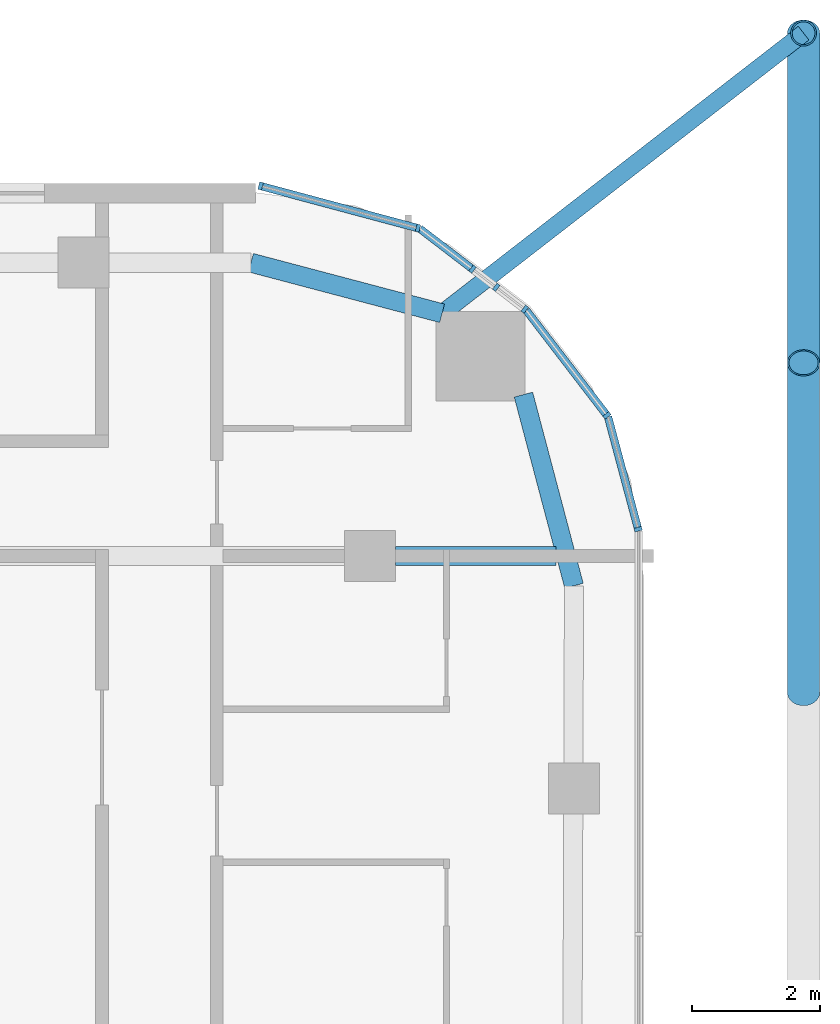
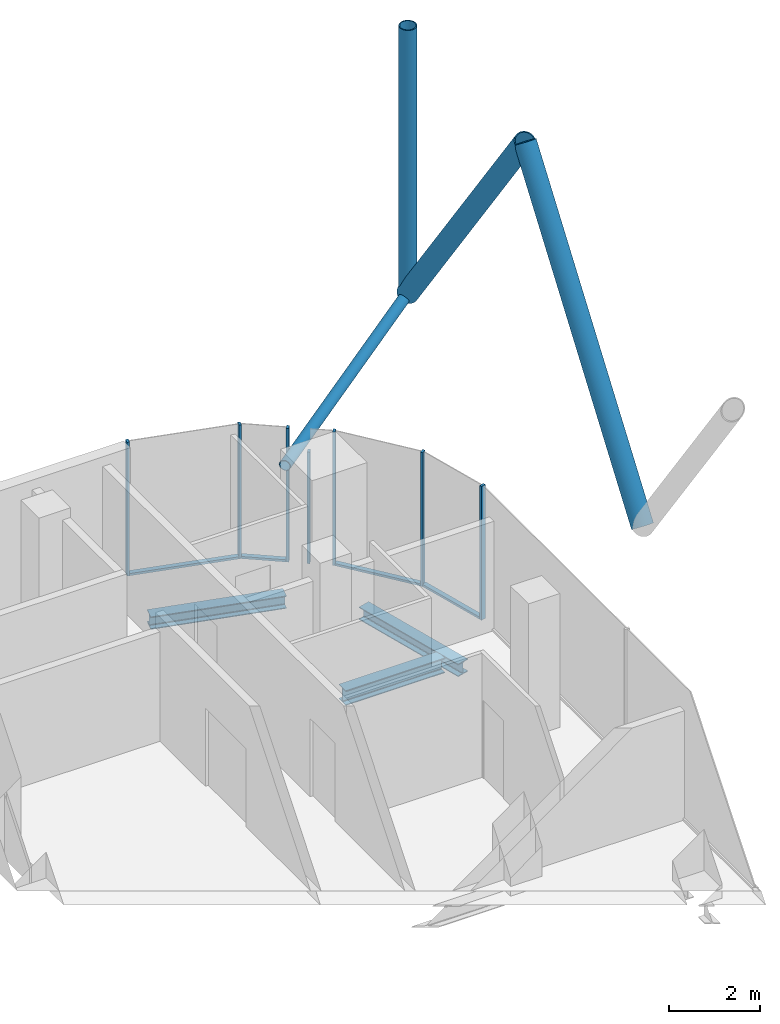
# One storey, part 11 of 28: 15 members, 3 beams, 6 elements without a shape of their own.
"""IFC4 building model written with IfcOpenShell, lengths in metres."""

from ifc_helpers import new_model, si_unit, direction, frame, origin, origin_2d, place, context, subcontext, project, spatial, rectangle, hollow_circle, i_section, extrude, material, layer, layer_set, material_profile, profile_set, type_object, element, aggregate, save


model = new_model("IFC4")

# Units and contexts
model_context = context("Model", 3, precision=1e-05, world=origin(), true_north=direction((0.0, 1.0)))
body_context = subcontext(model_context, "Body", "Model", "MODEL_VIEW")
ifc_project = project(units=[si_unit("LENGTHUNIT", "METRE"), si_unit("AREAUNIT", "SQUARE_METRE"), si_unit("VOLUMEUNIT", "CUBIC_METRE"), si_unit("PLANEANGLEUNIT", "RADIAN"), si_unit("MASSUNIT", "GRAM", prefix="KILO")], contexts=[model_context])

# Site, building, storey
site_placement = place(None, origin())
site = spatial("IfcSite", under=ifc_project, at=site_placement, CompositionType="ELEMENT")
building_placement = place(site_placement, origin())
building = spatial("IfcBuilding", under=site, at=building_placement, Name="Marenta Gate Hotel Tower", CompositionType="ELEMENT")
storey_placement = place(building_placement, frame((0.0, 0.0, 241.699951171875)))
storey = spatial("IfcBuildingStorey", under=building, at=storey_placement, Name="L57", CompositionType="ELEMENT", Elevation=241.699951171875)

# Members
ifc_material_1 = material(Name="Steel S355J2W", Category="steel")
ifc_material_profile_1 = material_profile(ifc_material_1, hollow_circle(Radius=0.203125, WallThickness=0.02490234375, at=origin_2d()), Name="CHS 406.4x25")
ifc_profile_set_1 = profile_set([ifc_material_profile_1], Name="Steel S355J2W")
member_type_1 = type_object("IfcMemberType", Name="Diagrid corner post Z3 CHS 406.4x25", PredefinedType="POST", material=ifc_profile_set_1)
member_1_placement = place(storey_placement, frame((27.800048828125, 25.0, 3.14013671875), z_axis=(0.0, 0.0, 1.0), x_axis=(1.0, 0.0, 0.0)))
element("IfcMember", 1, at=member_1_placement, inside=storey, type_object=member_type_1, Name="L57-DR-1", PredefinedType="POST", context=body_context, shape_type="SweptSolid", body=[
    extrude(hollow_circle(Radius=0.203125, WallThickness=0.02490234375, at=origin_2d()), origin(), (0.0, 0.0, 1.0), 7.199951171875),
])
ifc_material_2 = material(Name="Steel S355J2W", Category="steel")
ifc_material_profile_2 = material_profile(ifc_material_2, hollow_circle(Radius=0.25390625, WallThickness=0.02490234375, at=origin_2d()), Name="CHS 508x25")
ifc_profile_set_2 = profile_set([ifc_material_profile_2], Name="Steel S355J2W")
member_type_2 = type_object("IfcMemberType", Name="Diagrid diagonal Z3 CHS 508x25", PredefinedType="BRACE", material=ifc_profile_set_2)
member_2_placement = place(storey_placement, frame((27.800048828125, 25.0, 3.14013671875), z_axis=(0.0, -0.583260841117, 0.812284919975), x_axis=(1.0, 0.0, 0.0)))
element("IfcMember", 2, at=member_2_placement, inside=storey, type_object=member_type_2, Name="L57-DG-1", PredefinedType="BRACE", context=body_context, shape_type="SweptSolid", body=[
    extrude(hollow_circle(Radius=0.25390625, WallThickness=0.02490234375, at=origin_2d()), origin(), (0.0, 0.0, 1.0), 8.86376953125),
])
member_3_placement = place(storey_placement, frame((27.800048828125, 14.659912109375, 3.14013671875), z_axis=(0.0, 0.583279014058, 0.812271870595), x_axis=(-1.0, 0.0, 0.0)))
element("IfcMember", 3, at=member_3_placement, inside=storey, type_object=member_type_2, Name="L57-DG-2", PredefinedType="BRACE", context=body_context, shape_type="SweptSolid", body=[
    extrude(hollow_circle(Radius=0.25390625, WallThickness=0.02490234375, at=origin_2d()), origin(), (0.0, 0.0, 1.0), 8.864013671875),
])

# Beams
ifc_material_3 = material(Name="Steel S355", Category="steel")
ifc_material_profile_3 = material_profile(ifc_material_3, i_section(OverallWidth=0.300048828125, OverallDepth=0.340087890625, WebThickness=0.011962890625, FlangeThickness=0.021484375, FilletRadius=0.027099609375, at=origin_2d()), Name="HEB 340")
ifc_profile_set_3 = profile_set([ifc_material_profile_3], Name="Steel S355")
beam_type_1 = type_object("IfcBeamType", Name="Edge beam HEB 340", PredefinedType="SPANDREL", material=ifc_profile_set_3)
beam_1_placement = place(storey_placement, frame((19.134521484375, 21.39990234375, -0.429931640625), z_axis=(0.9667647815, -0.25566747398, 0.0), x_axis=(0.25566747398, 0.9667647815, 0.0)))
element("IfcBeam", 4, at=beam_1_placement, inside=storey, type_object=beam_type_1, Name="L57-EB-20", PredefinedType="SPANDREL", context=body_context, shape_type="SweptSolid", body=[
    extrude(i_section(OverallWidth=0.300048828125, OverallDepth=0.340087890625, WebThickness=0.011962890625, FlangeThickness=0.021484375, FilletRadius=0.027099609375, at=origin_2d()), origin(), (0.0, 0.0, 1.0), 3.1005859375),
])
beam_2_placement = place(storey_placement, frame((23.4072265625, 19.332275390625, -0.429931640625), z_axis=(0.255648013319, -0.966769927794, 0.0), x_axis=(0.966769927794, 0.255648013319, 0.0)))
element("IfcBeam", 5, at=beam_2_placement, inside=storey, type_object=beam_type_1, Name="L57-EB-21", PredefinedType="SPANDREL", context=body_context, shape_type="SweptSolid", body=[
    extrude(i_section(OverallWidth=0.300048828125, OverallDepth=0.340087890625, WebThickness=0.011962890625, FlangeThickness=0.021484375, FilletRadius=0.027099609375, at=origin_2d()), origin(), (0.0, 0.0, 1.0), 3.100830078125),
])

# Member
ifc_material_4 = material(Name="Steel S355J2W", Category="steel")
ifc_material_profile_4 = material_profile(ifc_material_4, hollow_circle(Radius=0.136474609375, WallThickness=0.012451171875, at=origin_2d()), Name="CHS 273x12.5")
ifc_profile_set_4 = profile_set([ifc_material_profile_4], Name="Steel S355J2W")
member_type_3 = type_object("IfcMemberType", Name="Floor tie CHS 273x12.5", PredefinedType="STRUT", material=ifc_profile_set_4)
member_4_placement = place(storey_placement, frame((27.800048828125, 25.0, 3.14013671875), z_axis=(-0.790398962363, -0.61259242592, 0.0), x_axis=(0.61259242592, -0.790398962363, 0.0)))
element("IfcMember", 6, at=member_4_placement, inside=storey, type_object=member_type_3, Name="L57-DR-7", PredefinedType="STRUT", context=body_context, shape_type="SweptSolid", body=[
    extrude(hollow_circle(Radius=0.136474609375, WallThickness=0.012451171875, at=origin_2d()), origin(), (0.0, 0.0, 1.0), 7.163330078125),
])

# Beam
ifc_material_5 = material(Name="Steel S355", Category="steel")
ifc_material_profile_5 = material_profile(ifc_material_5, i_section(OverallWidth=0.300048828125, OverallDepth=0.39990234375, WebThickness=0.013427734375, FlangeThickness=0.02392578125, FilletRadius=0.027099609375, at=origin_2d()), Name="HEB 400")
ifc_profile_set_5 = profile_set([ifc_material_profile_5], Name="Steel S355")
beam_type_2 = type_object("IfcBeamType", Name="Girder HEB 400", PredefinedType="BEAM", material=ifc_profile_set_5)
beam_3_placement = place(storey_placement, frame((21.39990234375, 16.800048828125, -0.4599609375), z_axis=(1.0, 0.0, 0.0), x_axis=(0.0, 1.0, 0.0)))
element("IfcBeam", 7, at=beam_3_placement, inside=storey, type_object=beam_type_2, Name="L57-GD-33", PredefinedType="BEAM", context=body_context, shape_type="SweptSolid", body=[
    extrude(i_section(OverallWidth=0.300048828125, OverallDepth=0.39990234375, WebThickness=0.013427734375, FlangeThickness=0.02392578125, FilletRadius=0.027099609375, at=origin_2d()), origin(), (0.0, 0.0, 1.0), 2.521728515625),
])

# Curtain wall, member
ifc_material_6 = material(Name="Tinted insulated glass in bronze anodised frame", Category="glass")
ifc_layer = layer(ifc_material_6, 0.1201171875)
ifc_layer_set = layer_set([ifc_layer], Name="Tinted insulated glass in bronze anodised frame")
curtain_wall_type = type_object("IfcCurtainWallType", Name="Tower unitised curtain wall CW1", PredefinedType="NOTDEFINED", material=ifc_layer_set)
curtain_wall_1_placement = place(storey_placement, origin())
curtain_wall_1 = element("IfcCurtainWall", 8, at=curtain_wall_1_placement, inside=storey, type_object=curtain_wall_type, Name="CW1 run G20", PredefinedType="NOTDEFINED")
ifc_material_7 = material(Name="Bronze anodised aluminium", Category="aluminium")
ifc_material_profile_6 = material_profile(ifc_material_7, rectangle(XDim=0.1201171875, YDim=0.06005859375, at=origin_2d()), Name="Mullion CW1 60x120 bronze anodised aluminium")
ifc_profile_set_6 = profile_set([ifc_material_profile_6], Name="Bronze anodised aluminium")
member_type_4 = type_object("IfcMemberType", Name="Mullion CW1 60x120 bronze anodised aluminium", PredefinedType="MULLION", material=ifc_profile_set_6)
member_5_placement = place(storey_placement, frame((25.206298828125, 17.220947265625, 0.0), z_axis=(0.0, 0.0, 1.0), x_axis=(-0.965924453932, -0.258824166754, 0.0)))
member_5 = element("IfcMember", 9, at=member_5_placement, type_object=member_type_4, Name="CW1 mullion 1", PredefinedType="MULLION", context=body_context, shape_type="SweptSolid", body=[
    extrude(rectangle(XDim=0.1201171875, YDim=0.06005859375, at=origin_2d()), origin(), (0.0, 0.0, 1.0), 3.60009765625),
])

curtain_wall_2_placement = place(storey_placement, origin())
curtain_wall_2 = element("IfcCurtainWall", 10, at=curtain_wall_2_placement, inside=storey, type_object=curtain_wall_type, Name="CW1 run G21", PredefinedType="NOTDEFINED")
member_6_placement = place(storey_placement, frame((24.7158203125, 19.00634765625, 0.0), z_axis=(0.0, 0.0, 1.0), x_axis=(-0.793333335233, -0.608787499222, 0.0)))
member_6 = element("IfcMember", 11, at=member_6_placement, type_object=member_type_4, Name="CW1 mullion 1", PredefinedType="MULLION", context=body_context, shape_type="SweptSolid", body=[
    extrude(rectangle(XDim=0.1201171875, YDim=0.06005859375, at=origin_2d()), origin(), (0.0, 0.0, 1.0), 3.60009765625),
])

curtain_wall_3_placement = place(storey_placement, origin())
curtain_wall_3 = element("IfcCurtainWall", 12, at=curtain_wall_3_placement, inside=storey, type_object=curtain_wall_type, Name="CW1 run G22", PredefinedType="NOTDEFINED")
member_7_placement = place(storey_placement, frame((23.4287109375, 20.6708984375, 0.0), z_axis=(0.0, 0.0, 1.0), x_axis=(-0.608769572677, -0.793347091368, 0.0)))
member_7 = element("IfcMember", 13, at=member_7_placement, type_object=member_type_4, Name="CW1 mullion 1", PredefinedType="MULLION", context=body_context, shape_type="SweptSolid", body=[
    extrude(rectangle(XDim=0.1201171875, YDim=0.06005859375, at=origin_2d()), origin(), (0.0, 0.0, 1.0), 3.60009765625),
])
aggregate(curtain_wall_3, [member_7])

curtain_wall_4_placement = place(storey_placement, origin())
curtain_wall_4 = element("IfcCurtainWall", 14, at=curtain_wall_4_placement, inside=storey, type_object=curtain_wall_type, Name="CW1 run G23", PredefinedType="NOTDEFINED")
member_8_placement = place(storey_placement, frame((22.98046875, 21.014892578125, 0.0), z_axis=(0.0, 0.0, 1.0), x_axis=(-0.608843780404, -0.793290143052, 0.0)))
member_8 = element("IfcMember", 15, at=member_8_placement, type_object=member_type_4, Name="CW1 mullion 1", PredefinedType="MULLION", context=body_context, shape_type="SweptSolid", body=[
    extrude(rectangle(XDim=0.1201171875, YDim=0.06005859375, at=origin_2d()), origin(), (0.0, 0.0, 1.0), 3.00048828125),
])
aggregate(curtain_wall_4, [member_8])

curtain_wall_5_placement = place(storey_placement, origin())
curtain_wall_5 = element("IfcCurtainWall", 16, at=curtain_wall_5_placement, inside=storey, type_object=curtain_wall_type, Name="CW1 run G24", PredefinedType="NOTDEFINED")
member_9_placement = place(storey_placement, frame((22.60888671875, 21.300048828125, 0.0), z_axis=(0.0, 0.0, 1.0), x_axis=(-0.60877235005, -0.793344960162, 0.0)))
member_9 = element("IfcMember", 17, at=member_9_placement, type_object=member_type_4, Name="CW1 mullion 1", PredefinedType="MULLION", context=body_context, shape_type="SweptSolid", body=[
    extrude(rectangle(XDim=0.1201171875, YDim=0.06005859375, at=origin_2d()), origin(), (0.0, 0.0, 1.0), 3.60009765625),
])

# Curtain wall, members
curtain_wall_6_placement = place(storey_placement, origin())
curtain_wall_6 = element("IfcCurtainWall", 18, at=curtain_wall_6_placement, inside=storey, type_object=curtain_wall_type, Name="CW1 run G25", PredefinedType="NOTDEFINED")
member_10_placement = place(storey_placement, frame((21.75341796875, 21.94189453125, 0.0), z_axis=(0.0, 0.0, 1.0), x_axis=(-0.258804895175, -0.96592961764, 0.0)))
member_10 = element("IfcMember", 19, at=member_10_placement, type_object=member_type_4, Name="CW1 mullion 1", PredefinedType="MULLION", context=body_context, shape_type="SweptSolid", body=[
    extrude(rectangle(XDim=0.1201171875, YDim=0.06005859375, at=origin_2d()), origin(), (0.0, 0.0, 1.0), 3.60009765625),
])
member_11_placement = place(storey_placement, frame((19.285400390625, 22.603271484375, 0.0), z_axis=(0.0, 0.0, 1.0), x_axis=(-0.258804895175, -0.96592961764, 0.0)))
member_11 = element("IfcMember", 20, at=member_11_placement, type_object=member_type_4, Name="CW1 mullion 2", PredefinedType="MULLION", context=body_context, shape_type="SweptSolid", body=[
    extrude(rectangle(XDim=0.1201171875, YDim=0.06005859375, at=origin_2d()), origin(), (0.0, 0.0, 1.0), 3.60009765625),
])

# Member
ifc_material_8 = material(Name="Bronze anodised aluminium", Category="aluminium")
ifc_material_profile_7 = material_profile(ifc_material_8, rectangle(XDim=0.1201171875, YDim=0.06005859375, at=origin_2d()), Name="Transom CW1 60x120 bronze anodised aluminium")
ifc_profile_set_7 = profile_set([ifc_material_profile_7], Name="Bronze anodised aluminium")
member_type_5 = type_object("IfcMemberType", Name="Transom CW1 60x120 bronze anodised aluminium", PredefinedType="USERDEFINED", material=ifc_profile_set_7)
member_12_placement = place(storey_placement, frame((25.198486328125, 17.249755859375, 0.030029296875), z_axis=(-0.258865341007, 0.96591342015, 0.0), x_axis=(-0.96591342015, -0.258865341007, 0.0)))
member_12 = element("IfcMember", 21, at=member_12_placement, type_object=member_type_5, Name="CW1 transom 1.1", ObjectType="TRANSOM", PredefinedType="USERDEFINED", context=body_context, shape_type="SweptSolid", body=[
    extrude(rectangle(XDim=0.1201171875, YDim=0.06005859375, at=origin_2d()), origin(), (0.0, 0.0, 1.0), 1.793701171875),
])

aggregate(curtain_wall_1, [member_5, member_12])

member_13_placement = place(storey_placement, frame((24.69775390625, 19.030029296875, 0.030029296875), z_axis=(-0.608787337271, 0.79333345951, 0.0), x_axis=(-0.79333345951, -0.608787337271, 0.0)))
member_13 = element("IfcMember", 22, at=member_13_placement, type_object=member_type_5, Name="CW1 transom 1.1", ObjectType="TRANSOM", PredefinedType="USERDEFINED", context=body_context, shape_type="SweptSolid", body=[
    extrude(rectangle(XDim=0.1201171875, YDim=0.06005859375, at=origin_2d()), origin(), (0.0, 0.0, 1.0), 2.045166015625),
])

aggregate(curtain_wall_2, [member_6, member_13])

member_14_placement = place(storey_placement, frame((22.585205078125, 21.318359375, 0.030029296875), z_axis=(-0.793466512091, 0.608613912255, 0.0), x_axis=(-0.608613912255, -0.793466512091, 0.0)))
member_14 = element("IfcMember", 23, at=member_14_placement, type_object=member_type_5, Name="CW1 transom 1.1", ObjectType="TRANSOM", PredefinedType="USERDEFINED", context=body_context, shape_type="SweptSolid", body=[
    extrude(rectangle(XDim=0.1201171875, YDim=0.06005859375, at=origin_2d()), origin(), (0.0, 0.0, 1.0), 1.01171875),
])

aggregate(curtain_wall_5, [member_9, member_14])

member_15_placement = place(storey_placement, frame((21.724609375, 21.94970703125, 0.030029296875), z_axis=(-0.965930582093, 0.258801295547, 0.0), x_axis=(-0.258801295547, -0.965930582093, 0.0)))
member_15 = element("IfcMember", 24, at=member_15_placement, type_object=member_type_5, Name="CW1 transom 1.1", ObjectType="TRANSOM", PredefinedType="USERDEFINED", context=body_context, shape_type="SweptSolid", body=[
    extrude(rectangle(XDim=0.1201171875, YDim=0.06005859375, at=origin_2d()), origin(), (0.0, 0.0, 1.0), 2.4951171875),
])

aggregate(curtain_wall_6, [member_10, member_11, member_15])

save(model, "model.ifc")
